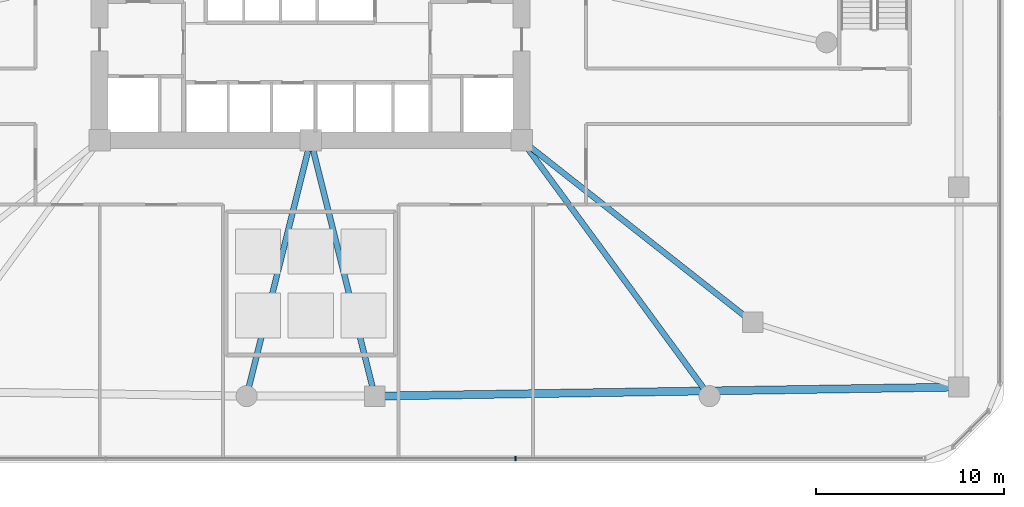
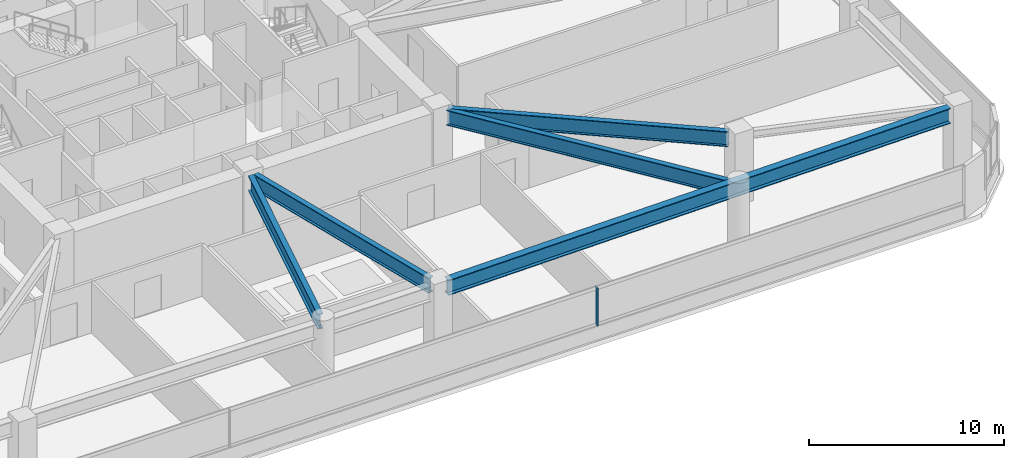
# One storey, part 4 of 21: 5 beams, 1 member, 1 element without a shape of its own.
"""IFC4 building model written with IfcOpenShell, lengths in metres."""

from ifc_helpers import new_model, si_unit, derived_unit, direction, frame, origin, origin_2d, place, context, subcontext, project, spatial, rectangle, i_section, extrude, material, material_profile, profile_set, type_object, element, aggregate, save


model = new_model("IFC4")

# Units and contexts
model_context = context("Model", 3, precision=1e-05, world=origin(), true_north=direction((0.0, 1.0)))
body_context = subcontext(model_context, "Body", "Model", "MODEL_VIEW")
ifc_project = project(units=[si_unit("LENGTHUNIT", "METRE"), si_unit("AREAUNIT", "SQUARE_METRE"), si_unit("VOLUMEUNIT", "CUBIC_METRE"), si_unit("PLANEANGLEUNIT", "RADIAN"), si_unit("MASSUNIT", "GRAM", prefix="KILO"), derived_unit("THERMALTRANSMITTANCEUNIT", [(si_unit("POWERUNIT", "WATT"), 1), (si_unit("LENGTHUNIT", "METRE"), -2), (si_unit("THERMODYNAMICTEMPERATUREUNIT", "KELVIN"), -1)])], contexts=[model_context])

# Site, building, storey
site_placement = place(None, origin())
site = spatial("IfcSite", under=ifc_project, at=site_placement, CompositionType="ELEMENT")
building_placement = place(site_placement, origin())
building = spatial("IfcBuilding", under=site, at=building_placement, Name="Koralith Skygarden Medical Center", CompositionType="ELEMENT")
storey_placement = place(building_placement, frame((0.0, 0.0, 9.89990234375)))
storey = spatial("IfcBuildingStorey", under=building, at=storey_placement, Name="L02", CompositionType="ELEMENT", Elevation=9.89990234375)

# Curtain wall, member
ifc_material_1 = material(Name="Clear Laminated Glass", Category="glass")
curtain_wall_type = type_object("IfcCurtainWallType", Name="CW-1 Transit & Podium Acoustic Curtain Wall", PredefinedType="NOTDEFINED", material=ifc_material_1)
curtain_wall_placement = place(storey_placement, origin())
curtain_wall = element("IfcCurtainWall", 1, at=curtain_wall_placement, inside=storey, type_object=curtain_wall_type, Name="Curtain Wall CW-L02-S", PredefinedType="NOTDEFINED")
ifc_material_2 = material(Name="Aluminium 6063-T6", Category="aluminium")
ifc_material_profile_1 = material_profile(ifc_material_2, rectangle(XDim=0.068115234375, YDim=0.239990234375, at=origin_2d()), Name="MUL68X240")
ifc_profile_set_1 = profile_set([ifc_material_profile_1], Name="Aluminium 6063-T6")
member_type = type_object("IfcMemberType", Name="CW-1 Extruded Mullion 68x240", PredefinedType="MULLION", material=ifc_profile_set_1)
member_placement = place(storey_placement, frame((47.8740234375, 0.419921875, 0.85009765625), z_axis=(0.0, 0.0, 1.0), x_axis=(1.0, 0.0, 0.0)))
member = element("IfcMember", 2, at=member_placement, type_object=member_type, Name="CW-L02-S Mullion 3", PredefinedType="MULLION", context=body_context, shape_type="SweptSolid", body=[
    extrude(rectangle(XDim=0.068115234375, YDim=0.239990234375, at=origin_2d()), origin(), (0.0, 0.0, 1.0), 2.389892578125),
])
aggregate(curtain_wall, [member])

# Beams
ifc_material_3 = material(Name="Steel ASTM A992 Grade 50", Category="steel")
ifc_material_profile_2 = material_profile(ifc_material_3, i_section(OverallWidth=0.423095703125, OverallDepth=0.947998046875, WebThickness=0.02392578125, FlangeThickness=0.042724609375, at=origin_2d()), Name="W36X302")
ifc_profile_set_2 = profile_set([ifc_material_profile_2], Name="Steel ASTM A992 Grade 50")
beam_type_1 = type_object("IfcBeamType", Name="Podium Concourse Girder W36X302", PredefinedType="BEAM", material=ifc_profile_set_2)
beam_1_placement = place(storey_placement, frame((40.919921875, 3.72802734375, 3.72607421875), z_axis=(0.999880161393, 0.015481048165, 0.0), x_axis=(-0.015481048165, 0.999880161393, 0.0)))
element("IfcBeam", 3, at=beam_1_placement, inside=storey, type_object=beam_type_1, Name="L02 Podium Perimeter Beam PB-04", PredefinedType="BEAM", context=body_context, shape_type="SweptSolid", body=[
    extrude(i_section(OverallWidth=0.423095703125, OverallDepth=0.947998046875, WebThickness=0.02392578125, FlangeThickness=0.042724609375, at=origin_2d()), origin(), (0.0, 0.0, 1.0), 29.963623046875),
])
ifc_material_profile_3 = material_profile(ifc_material_3, i_section(OverallWidth=0.30810546875, OverallDepth=0.943115234375, WebThickness=0.022216796875, FlangeThickness=0.039794921875, at=origin_2d()), Name="W36X232")
ifc_profile_set_3 = profile_set([ifc_material_profile_3], Name="Steel ASTM A992 Grade 50")
beam_type_2 = type_object("IfcBeamType", Name="Surgical Platform Girder W36X232", PredefinedType="BEAM", material=ifc_profile_set_3)
for number, where, z_axis, x_axis, name in (
    (4, (36.864013671875, 16.757080078125, 3.72802734375), (-0.242877971824, -0.970056849263, 0.0), (0.970056849263, -0.242877971824, 0.0), "L02 Podium Radial Girder PRG-04"),
    (5, (37.135986328125, 16.757080078125, 3.72802734375), (0.242877971824, -0.970056849263, 0.0), (0.970056849263, 0.242877971824, 0.0), "L02 Podium Radial Girder PRG-05"),
):
    element("IfcBeam", number, at=place(storey_placement, frame(where, z_axis=z_axis, x_axis=x_axis)), inside=storey, type_object=beam_type_2, Name=name, PredefinedType="BEAM", context=body_context, shape_type="SweptSolid", body=[
        extrude(i_section(OverallWidth=0.30810546875, OverallDepth=0.943115234375, WebThickness=0.022216796875, FlangeThickness=0.039794921875, at=origin_2d()), origin(), (0.0, 0.0, 1.0), 12.919921875),
    ])
beam_2_placement = place(storey_placement, frame((48.531005859375, 16.84912109375, 3.72802734375), z_axis=(0.59170530555, -0.806154347122, 0.0), x_axis=(0.806154347122, 0.59170530555, 0.0)))
element("IfcBeam", 6, at=beam_2_placement, inside=storey, type_object=beam_type_2, Name="L02 Podium Radial Girder PRG-06", PredefinedType="BEAM", context=body_context, shape_type="SweptSolid", body=[
    extrude(i_section(OverallWidth=0.30810546875, OverallDepth=0.943115234375, WebThickness=0.022216796875, FlangeThickness=0.039794921875, at=origin_2d()), origin(), (0.0, 0.0, 1.0), 15.766357421875),
])
beam_3_placement = place(storey_placement, frame((48.639892578125, 16.952880859375, 3.72802734375), z_axis=(0.785504791859, -0.618855574401, 0.0), x_axis=(0.618855574401, 0.785504791859, 0.0)))
element("IfcBeam", 7, at=beam_3_placement, inside=storey, type_object=beam_type_2, Name="L02 Podium Radial Girder PRG-07", PredefinedType="BEAM", context=body_context, shape_type="SweptSolid", body=[
    extrude(i_section(OverallWidth=0.30810546875, OverallDepth=0.943115234375, WebThickness=0.022216796875, FlangeThickness=0.039794921875, at=origin_2d()), origin(), (0.0, 0.0, 1.0), 14.5283203125),
])

save(model, "model.ifc")
